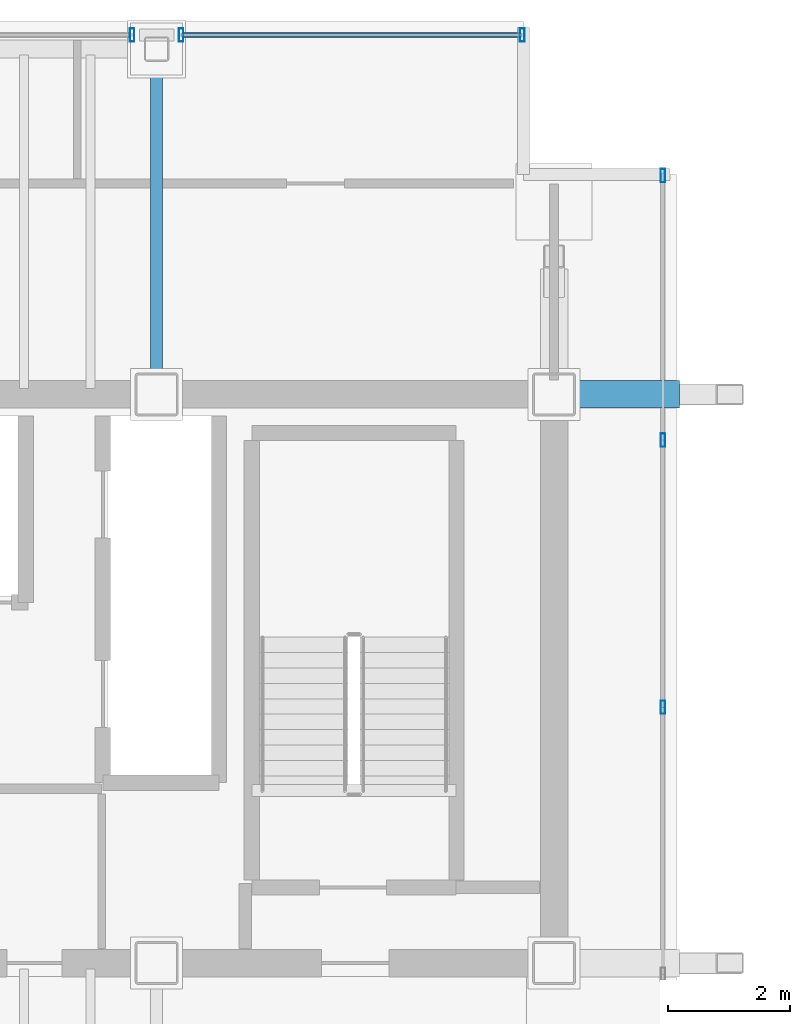
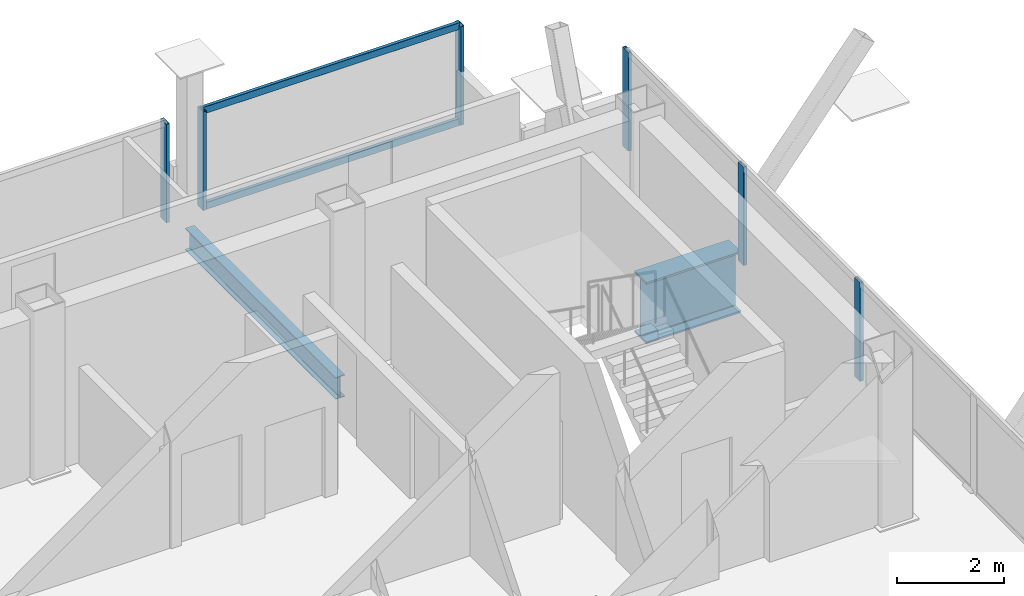
# One storey, part 12 of 16: 8 members, 2 beams, 3 elements without a shape of their own.
"""IFC4 building model written with IfcOpenShell, lengths in metres."""

from ifc_helpers import new_model, si_unit, direction, frame, origin, origin_2d, place, context, subcontext, project, spatial, hollow_rectangle, i_section, extrude, material, material_profile, profile_set, type_object, element, aggregate, save


model = new_model("IFC4")

# Units and contexts
model_context = context("Model", 3, precision=1e-05, world=origin(), true_north=direction((0.0, 1.0)))
body_context = subcontext(model_context, "Body", "Model", "MODEL_VIEW")
ifc_project = project(units=[si_unit("LENGTHUNIT", "METRE"), si_unit("AREAUNIT", "SQUARE_METRE"), si_unit("VOLUMEUNIT", "CUBIC_METRE"), si_unit("PLANEANGLEUNIT", "RADIAN"), si_unit("MASSUNIT", "GRAM", prefix="KILO")], contexts=[model_context])

# Site, building, storey
site_placement = place(None, origin())
site = spatial("IfcSite", under=ifc_project, at=site_placement, CompositionType="ELEMENT")
building_placement = place(site_placement, origin())
building = spatial("IfcBuilding", under=site, at=building_placement, Name="Noeulbin Bourse Tower", CompositionType="ELEMENT")
storey_placement = place(building_placement, frame((0.0, 0.0, 277.39990234375)))
storey = spatial("IfcBuildingStorey", under=building, at=storey_placement, Name="L69", CompositionType="ELEMENT", Elevation=277.39990234375)

# Beams
ifc_material_1 = material(Name="Steel S355", Category="steel")
ifc_material_profile_1 = material_profile(ifc_material_1, i_section(OverallWidth=0.199951171875, OverallDepth=0.5, WebThickness=0.010009765625, FlangeThickness=0.01611328125, FilletRadius=0.02001953125, at=origin_2d()), Name="H-500x200x10x16", Category="LoadBearing")
ifc_profile_set_1 = profile_set([ifc_material_profile_1], Name="Steel S355")
beam_type_1 = type_object("IfcBeamType", Name="BM-GRD-500", PredefinedType="USERDEFINED", material=ifc_profile_set_1)
beam_1_placement = place(storey_placement, frame((37.5, 38.300048828125, -0.429931640625), z_axis=(0.0, 1.0, 0.0), x_axis=(-1.0, 0.0, 0.0)))
element("IfcBeam", 1, at=beam_1_placement, inside=storey, type_object=beam_type_1, Name="Tower Primary Girder NS L69-4.4", ObjectType="GIRDER", PredefinedType="USERDEFINED", context=body_context, shape_type="SweptSolid", body=[
    extrude(i_section(OverallWidth=0.199951171875, OverallDepth=0.5, WebThickness=0.010009765625, FlangeThickness=0.01611328125, FilletRadius=0.02001953125, at=origin_2d()), origin(), (0.0, 0.0, 1.0), 5.64990234375),
])
ifc_material_2 = material(Name="Steel S460", Category="steel")
ifc_material_profile_2 = material_profile(ifc_material_2, i_section(OverallWidth=0.449951171875, OverallDepth=1.39990234375, WebThickness=0.02392578125, FlangeThickness=0.0400390625, FilletRadius=0.02392578125, at=origin_2d()), Name="PG-1400x450x24x40", Category="LoadBearing")
ifc_profile_set_2 = profile_set([ifc_material_profile_2], Name="Steel S460")
beam_type_2 = type_object("IfcBeamType", Name="BM-TRF-1400", PredefinedType="USERDEFINED", material=ifc_profile_set_2)
beam_2_placement = place(storey_placement, frame((44.0, 38.300048828125, -0.8798828125), z_axis=(1.0, 0.0, 0.0), x_axis=(0.0, 1.0, 0.0)))
element("IfcBeam", 2, at=beam_2_placement, inside=storey, type_object=beam_type_2, Name="Transfer Outrigger Corbel L69-02", ObjectType="GIRDER", PredefinedType="USERDEFINED", context=body_context, shape_type="SweptSolid", body=[
    extrude(i_section(OverallWidth=0.449951171875, OverallDepth=1.39990234375, WebThickness=0.02392578125, FlangeThickness=0.0400390625, FilletRadius=0.02392578125, at=origin_2d()), origin(), (0.0, 0.0, 1.0), 2.050048828125),
])

# Curtain wall, member
ifc_material_3 = material(Name="High-Selectivity Low-Iron Glazing", Category="glass")
curtain_wall_type = type_object("IfcCurtainWallType", Name="CW-SYS-4", PredefinedType="NOTDEFINED", material=ifc_material_3)
curtain_wall_1_placement = place(storey_placement, origin())
curtain_wall_1 = element("IfcCurtainWall", 3, at=curtain_wall_1_placement, inside=storey, type_object=curtain_wall_type, Name="Unitised Curtain Wall CW-L69-N-S4", PredefinedType="NOTDEFINED")
ifc_material_4 = material(Name="Anodised Aluminium 6063-T6", Category="aluminium")
ifc_material_profile_3 = material_profile(ifc_material_4, hollow_rectangle(XDim=0.074951171875, YDim=0.219970703125, WallThickness=0.0048828125, InnerFilletRadius=0.00244140625, OuterFilletRadius=0.0048828125, at=origin_2d()), Name="ALU-MULL-75x220x5", Category="LoadBearing")
ifc_profile_set_3 = profile_set([ifc_material_profile_3], Name="Anodised Aluminium 6063-T6")
member_type_1 = type_object("IfcMemberType", Name="CW-SYS-4-MUL", PredefinedType="MULLION", material=ifc_profile_set_3)
member_1_placement = place(storey_placement, frame((37.10009765625, 44.179931640625, -0.02001953125), z_axis=(0.0, 0.0, 1.0), x_axis=(1.0, 0.0, 0.0)))
member_1 = element("IfcMember", 4, at=member_1_placement, type_object=member_type_1, Name="Curtain Wall Mullion CW-L69-N-S4-M01", PredefinedType="MULLION", context=body_context, shape_type="SweptSolid", body=[
    extrude(hollow_rectangle(XDim=0.074951171875, YDim=0.219970703125, WallThickness=0.0048828125, InnerFilletRadius=0.00244140625, OuterFilletRadius=0.0048828125, at=origin_2d()), origin(), (0.0, 0.0, 1.0), 2.260009765625),
])
aggregate(curtain_wall_1, [member_1])

# Curtain wall, members
curtain_wall_2_placement = place(storey_placement, origin())
curtain_wall_2 = element("IfcCurtainWall", 5, at=curtain_wall_2_placement, inside=storey, type_object=curtain_wall_type, Name="Unitised Curtain Wall CW-L69-N-S5", PredefinedType="NOTDEFINED")
member_2_placement = place(storey_placement, frame((37.89990234375, 44.179931640625, -0.02001953125), z_axis=(0.0, 0.0, 1.0), x_axis=(1.0, 0.0, 0.0)))
member_2 = element("IfcMember", 6, at=member_2_placement, type_object=member_type_1, Name="Curtain Wall Mullion CW-L69-N-S5-M00", PredefinedType="MULLION", context=body_context, shape_type="SweptSolid", body=[
    extrude(hollow_rectangle(XDim=0.074951171875, YDim=0.219970703125, WallThickness=0.0048828125, InnerFilletRadius=0.00244140625, OuterFilletRadius=0.0048828125, at=origin_2d()), origin(), (0.0, 0.0, 1.0), 2.260009765625),
])
member_3_placement = place(storey_placement, frame((43.47998046875, 44.179931640625, -0.02001953125), z_axis=(0.0, 0.0, 1.0), x_axis=(1.0, 0.0, 0.0)))
member_3 = element("IfcMember", 7, at=member_3_placement, type_object=member_type_1, Name="Curtain Wall Mullion CW-L69-N-S5-M01", PredefinedType="MULLION", context=body_context, shape_type="SweptSolid", body=[
    extrude(hollow_rectangle(XDim=0.074951171875, YDim=0.219970703125, WallThickness=0.0048828125, InnerFilletRadius=0.00244140625, OuterFilletRadius=0.0048828125, at=origin_2d()), origin(), (0.0, 0.0, 1.0), 2.260009765625),
])

curtain_wall_3_placement = place(storey_placement, origin())
curtain_wall_3 = element("IfcCurtainWall", 8, at=curtain_wall_3_placement, inside=storey, type_object=curtain_wall_type, Name="Unitised Curtain Wall CW-L69-E", PredefinedType="NOTDEFINED")
member_4_placement = place(storey_placement, frame((45.780029296875, 33.18408203125, -0.02001953125), z_axis=(0.0, 0.0, 1.0), x_axis=(1.0, 0.0, 0.0)))
member_4 = element("IfcMember", 9, at=member_4_placement, type_object=member_type_1, Name="Curtain Wall Mullion CW-L69-E-M03", PredefinedType="MULLION", context=body_context, shape_type="SweptSolid", body=[
    extrude(hollow_rectangle(XDim=0.074951171875, YDim=0.219970703125, WallThickness=0.0048828125, InnerFilletRadius=0.00244140625, OuterFilletRadius=0.0048828125, at=origin_2d()), origin(), (0.0, 0.0, 1.0), 2.260009765625),
])
member_5_placement = place(storey_placement, frame((45.780029296875, 37.552001953125, -0.02001953125), z_axis=(0.0, 0.0, 1.0), x_axis=(1.0, 0.0, 0.0)))
member_5 = element("IfcMember", 10, at=member_5_placement, type_object=member_type_1, Name="Curtain Wall Mullion CW-L69-E-M04", PredefinedType="MULLION", context=body_context, shape_type="SweptSolid", body=[
    extrude(hollow_rectangle(XDim=0.074951171875, YDim=0.219970703125, WallThickness=0.0048828125, InnerFilletRadius=0.00244140625, OuterFilletRadius=0.0048828125, at=origin_2d()), origin(), (0.0, 0.0, 1.0), 2.260009765625),
])
member_6_placement = place(storey_placement, frame((45.780029296875, 41.8798828125, -0.02001953125), z_axis=(0.0, 0.0, 1.0), x_axis=(1.0, 0.0, 0.0)))
member_6 = element("IfcMember", 11, at=member_6_placement, type_object=member_type_1, Name="Curtain Wall Mullion CW-L69-E-M05", PredefinedType="MULLION", context=body_context, shape_type="SweptSolid", body=[
    extrude(hollow_rectangle(XDim=0.074951171875, YDim=0.219970703125, WallThickness=0.0048828125, InnerFilletRadius=0.00244140625, OuterFilletRadius=0.0048828125, at=origin_2d()), origin(), (0.0, 0.0, 1.0), 2.260009765625),
])
aggregate(curtain_wall_3, [member_4, member_5, member_6])

# Member
ifc_material_profile_4 = material_profile(ifc_material_4, hollow_rectangle(XDim=0.074951171875, YDim=0.159912109375, WallThickness=0.0048828125, InnerFilletRadius=0.00244140625, OuterFilletRadius=0.0048828125, at=origin_2d()), Name="ALU-TRAN-75x160x5", Category="LoadBearing")
ifc_profile_set_4 = profile_set([ifc_material_profile_4], Name="Anodised Aluminium 6063-T6")
member_type_2 = type_object("IfcMemberType", Name="CW-SYS-4-TRN", PredefinedType="USERDEFINED", material=ifc_profile_set_4)
member_7_placement = place(storey_placement, frame((37.909912109375, 44.179931640625, 0.010009765625), z_axis=(1.0, 0.0, 0.0), x_axis=(0.0, 1.0, 0.0)))
member_7 = element("IfcMember", 12, at=member_7_placement, type_object=member_type_2, Name="Curtain Wall Transom CW-L69-N-S5-T00", ObjectType="TRANSOM", PredefinedType="USERDEFINED", context=body_context, shape_type="SweptSolid", body=[
    extrude(hollow_rectangle(XDim=0.074951171875, YDim=0.159912109375, WallThickness=0.0048828125, InnerFilletRadius=0.00244140625, OuterFilletRadius=0.0048828125, at=origin_2d()), origin(), (0.0, 0.0, 1.0), 5.56005859375),
])

member_8_placement = place(storey_placement, frame((37.909912109375, 44.179931640625, 2.210205078125), z_axis=(1.0, 0.0, 0.0), x_axis=(0.0, 1.0, 0.0)))
member_8 = element("IfcMember", 13, at=member_8_placement, type_object=member_type_2, Name="Curtain Wall Transom CW-L69-N-S5-T01", ObjectType="TRANSOM", PredefinedType="USERDEFINED", context=body_context, shape_type="SweptSolid", body=[
    extrude(hollow_rectangle(XDim=0.074951171875, YDim=0.159912109375, WallThickness=0.0048828125, InnerFilletRadius=0.00244140625, OuterFilletRadius=0.0048828125, at=origin_2d()), origin(), (0.0, 0.0, 1.0), 5.56005859375),
])

aggregate(curtain_wall_2, [member_2, member_3, member_7, member_8])

save(model, "model.ifc")
